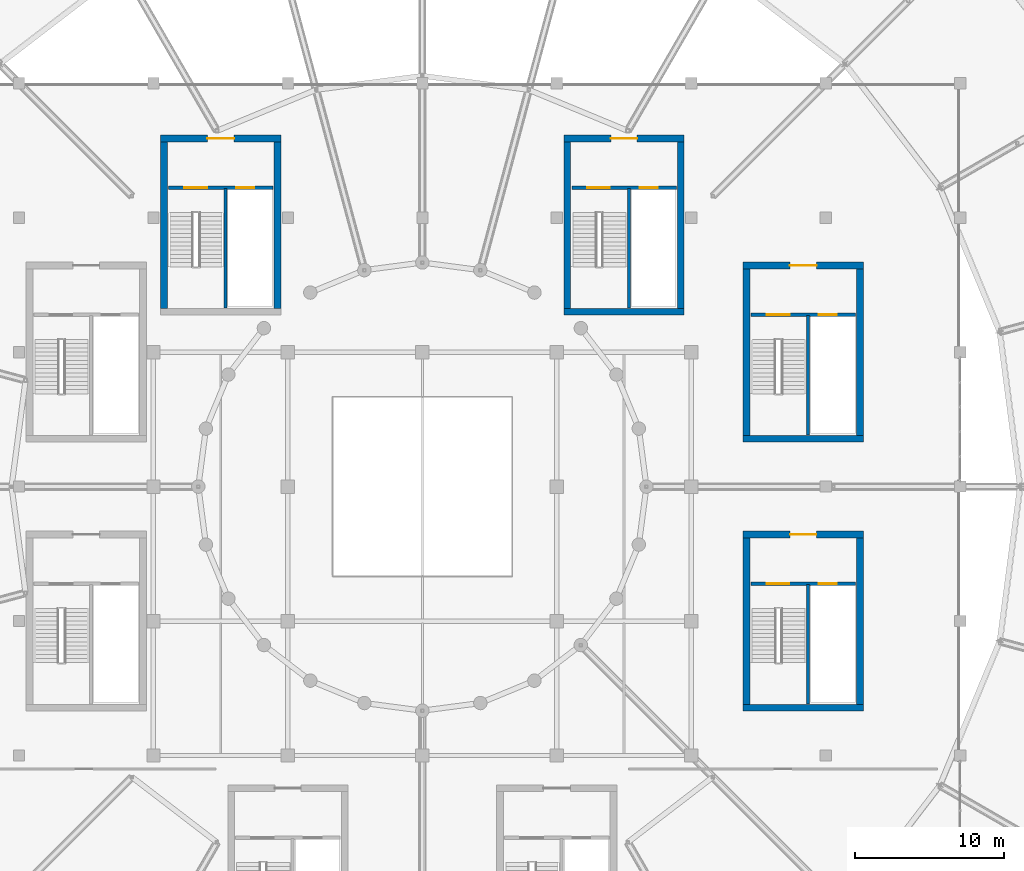
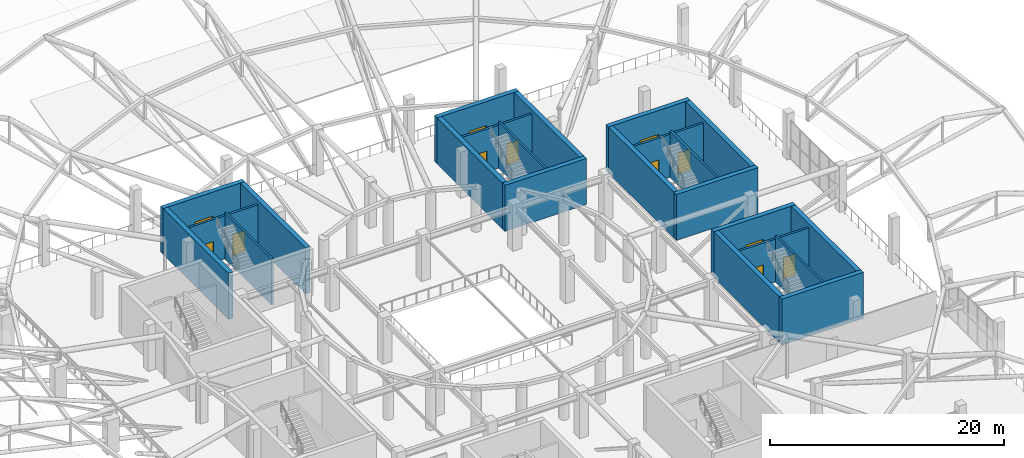
# One storey, part 141 of 167: 23 walls, 12 doors, 12 openings.
"""IFC4 building model written with IfcOpenShell, lengths in metres."""

from ifc_helpers import new_model, si_unit, direction, frame, frame_2d, origin, place, context, subcontext, project, spatial, rectangle, extrude, material, layer, layer_set, type_object, element, fill, save


model = new_model("IFC4")

# Units and contexts
model_context = context("Model", 3, precision=1e-05, world=origin(), true_north=direction((0.0, 1.0)))
body_context = subcontext(model_context, "Body", "Model", "MODEL_VIEW")
ifc_project = project(units=[si_unit("LENGTHUNIT", "METRE"), si_unit("AREAUNIT", "SQUARE_METRE"), si_unit("VOLUMEUNIT", "CUBIC_METRE"), si_unit("PLANEANGLEUNIT", "RADIAN"), si_unit("MASSUNIT", "GRAM", prefix="KILO")], contexts=[model_context])

# Site, building, storey
site_placement = place(None, origin())
site = spatial("IfcSite", under=ifc_project, at=site_placement, CompositionType="ELEMENT")
building_placement = place(site_placement, origin())
building = spatial("IfcBuilding", under=site, at=building_placement, Name="Dornveld Trade and Exhibition Forum", CompositionType="ELEMENT")
storey_placement = place(building_placement, frame((0.0, 0.0, 16.800048828125)))
storey = spatial("IfcBuildingStorey", under=building, at=storey_placement, Name="L03", CompositionType="ELEMENT", Elevation=16.800048828125)

# Wall
ifc_material_1 = material(Name="Concrete C40/50", Category="concrete")
ifc_layer_1 = layer(ifc_material_1, 0.449951171875)
ifc_layer_set_1 = layer_set([ifc_layer_1], Name="Concrete C40/50")
wall_type_1 = type_object("IfcWallType", Name="WL-CORE-450", PredefinedType="SHEAR", material=ifc_layer_set_1)
wall_1_placement = place(storey_placement, frame((138.47509765625, 84.199951171875, 0.0), z_axis=(0.0, 0.0, 1.0), x_axis=(1.0, 0.0, 0.0)))
element("IfcWall", 1, at=wall_1_placement, inside=storey, type_object=wall_type_1, Name="CORE-01 L03 shear wall S", PredefinedType="SHEAR", context=body_context, shape_type="SweptSolid", body=[
    extrude(rectangle(XDim=8.0498046875, YDim=0.449951171875, at=frame_2d((4.02490234375, 0.0))), origin(), (0.0, 0.0, 1.0), 4.800048828125),
])

# Wall, opening, door
wall_2_placement = place(storey_placement, frame((138.47509765625, 95.800048828125, 0.0), z_axis=(0.0, 0.0, 1.0), x_axis=(1.0, 0.0, 0.0)))
wall_2 = element("IfcWall", 2, at=wall_2_placement, inside=storey, type_object=wall_type_1, Name="CORE-01 L03 shear wall N", PredefinedType="SHEAR", context=body_context, shape_type="SweptSolid", body=[
    extrude(rectangle(XDim=8.0498046875, YDim=0.449951171875, at=frame_2d((4.02490234375, 0.0))), origin(), (0.0, 0.0, 1.0), 4.800048828125),
])
opening_1_placement = place(wall_2_placement, frame((3.125, 0.0, 0.0)))
opening_1 = element("IfcOpeningElement", 3, at=opening_1_placement, cuts=wall_2, Name="Opening CD-01-L03", PredefinedType="OPENING", context=body_context, shape_type="SweptSolid", body=[
    extrude(rectangle(XDim=1.800048828125, YDim=2.300048828125, at=frame_2d((0.89990234375, 1.14990234375))), frame((0.0, 0.23486328125, 0.0), z_axis=(0.0, -1.0, 0.0), x_axis=(1.0, 0.0, 0.0)), (0.0, 0.0, 1.0), 0.469970703125),
])
ifc_material_2 = material(Name="Steel fire-rated double door assembly", Category="steel")
door_type_1 = type_object("IfcDoorType", Name="DR-CORE-180x230", OperationType="NOTDEFINED", PredefinedType="DOOR", material=ifc_material_2)
door_1_placement = place(opening_1_placement, origin())
door_1 = element("IfcDoor", 4, at=door_1_placement, inside=storey, type_object=door_type_1, Name="CORE-01 L03 core lobby double fire door", OperationType="DOUBLE_DOOR_SINGLE_SWING", OverallHeight=2.300048828125, OverallWidth=1.800048828125, PredefinedType="DOOR", context=body_context, shape_type="SweptSolid", body=[
    extrude(rectangle(XDim=1.800048828125, YDim=2.300048828125, at=frame_2d((0.89990234375, 1.14990234375))), frame((0.0, 0.02490234375, 0.0), z_axis=(0.0, -1.0, 0.0), x_axis=(1.0, 0.0, 0.0)), (0.0, 0.0, 1.0), 0.050048828125),
])
fill(opening_1, door_1)

# Walls
for number, where, z_axis, x_axis, name in (
    (5, (138.699951171875, 84.425048828125, 0.0), (0.0, 0.0, 1.0), (0.0, 1.0, 0.0), "CORE-01 L03 shear wall W"),
    (6, (146.300048828125, 84.425048828125, 0.0), (0.0, 0.0, 1.0), (0.0, 1.0, 0.0), "CORE-01 L03 shear wall E"),
):
    element("IfcWall", number, at=place(storey_placement, frame(where, z_axis=z_axis, x_axis=x_axis)), inside=storey, type_object=wall_type_1, Name=name, PredefinedType="SHEAR", context=body_context, shape_type="SweptSolid", body=[
        extrude(rectangle(XDim=11.14990234375, YDim=0.449951171875, at=frame_2d((5.574951171875, 0.0))), origin(), (0.0, 0.0, 1.0), 4.800048828125),
    ])
wall_3_placement = place(storey_placement, frame((126.47509765625, 92.699951171875, 0.0), z_axis=(0.0, 0.0, 1.0), x_axis=(1.0, 0.0, 0.0)))
element("IfcWall", 7, at=wall_3_placement, inside=storey, type_object=wall_type_1, Name="CORE-02 L03 shear wall S", PredefinedType="SHEAR", context=body_context, shape_type="SweptSolid", body=[
    extrude(rectangle(XDim=8.0498046875, YDim=0.449951171875, at=frame_2d((4.02490234375, 0.0))), origin(), (0.0, 0.0, 1.0), 4.800048828125),
])

# Wall, opening, door
wall_4_placement = place(storey_placement, frame((126.47509765625, 104.300048828125, 0.0), z_axis=(0.0, 0.0, 1.0), x_axis=(1.0, 0.0, 0.0)))
wall_4 = element("IfcWall", 8, at=wall_4_placement, inside=storey, type_object=wall_type_1, Name="CORE-02 L03 shear wall N", PredefinedType="SHEAR", context=body_context, shape_type="SweptSolid", body=[
    extrude(rectangle(XDim=8.0498046875, YDim=0.449951171875, at=frame_2d((4.02490234375, 0.0))), origin(), (0.0, 0.0, 1.0), 4.800048828125),
])
opening_2_placement = place(wall_4_placement, frame((3.14990234375, 0.0, 0.0)))
opening_2 = element("IfcOpeningElement", 9, at=opening_2_placement, cuts=wall_4, Name="Opening CD-02-L03", PredefinedType="OPENING", context=body_context, shape_type="SweptSolid", body=[
    extrude(rectangle(XDim=1.75, YDim=2.300048828125, at=frame_2d((0.875, 1.14990234375))), frame((0.0, 0.23486328125, 0.0), z_axis=(0.0, -1.0, 0.0), x_axis=(1.0, 0.0, 0.0)), (0.0, 0.0, 1.0), 0.469970703125),
])
ifc_material_3 = material(Name="Steel fire-rated double door assembly", Category="steel")
door_type_2 = type_object("IfcDoorType", Name="DR-CORE-175x230", OperationType="NOTDEFINED", PredefinedType="DOOR", material=ifc_material_3)
door_2_placement = place(opening_2_placement, origin())
door_2 = element("IfcDoor", 10, at=door_2_placement, inside=storey, type_object=door_type_2, Name="CORE-02 L03 core lobby double fire door", OperationType="DOUBLE_DOOR_SINGLE_SWING", OverallHeight=2.300048828125, OverallWidth=1.75, PredefinedType="DOOR", context=body_context, shape_type="SweptSolid", body=[
    extrude(rectangle(XDim=1.75, YDim=2.300048828125, at=frame_2d((0.875, 1.14990234375))), frame((0.0, 0.02490234375, 0.0), z_axis=(0.0, -1.0, 0.0), x_axis=(1.0, 0.0, 0.0)), (0.0, 0.0, 1.0), 0.050048828125),
])
fill(opening_2, door_2)

# Walls
for number, where, z_axis, x_axis, name in (
    (11, (126.699951171875, 92.925048828125, 0.0), (0.0, 0.0, 1.0), (0.0, 1.0, 0.0), "CORE-02 L03 shear wall W"),
    (12, (134.300048828125, 92.925048828125, 0.0), (0.0, 0.0, 1.0), (0.0, 1.0, 0.0), "CORE-02 L03 shear wall E"),
):
    element("IfcWall", number, at=place(storey_placement, frame(where, z_axis=z_axis, x_axis=x_axis)), inside=storey, type_object=wall_type_1, Name=name, PredefinedType="SHEAR", context=body_context, shape_type="SweptSolid", body=[
        extrude(rectangle(XDim=11.14990234375, YDim=0.449951171875, at=frame_2d((5.574951171875, 0.0))), origin(), (0.0, 0.0, 1.0), 4.800048828125),
    ])

# Wall, opening, door
wall_5_placement = place(storey_placement, frame((99.47509765625, 104.300048828125, 0.0), z_axis=(0.0, 0.0, 1.0), x_axis=(1.0, 0.0, 0.0)))
wall_5 = element("IfcWall", 13, at=wall_5_placement, inside=storey, type_object=wall_type_1, Name="CORE-03 L03 shear wall N", PredefinedType="SHEAR", context=body_context, shape_type="SweptSolid", body=[
    extrude(rectangle(XDim=8.0498046875, YDim=0.449951171875, at=frame_2d((4.02490234375, 0.0))), origin(), (0.0, 0.0, 1.0), 4.800048828125),
])
opening_3_placement = place(wall_5_placement, frame((3.125, 0.0, 0.0)))
opening_3 = element("IfcOpeningElement", 14, at=opening_3_placement, cuts=wall_5, Name="Opening CD-03-L03", PredefinedType="OPENING", context=body_context, shape_type="SweptSolid", body=[
    extrude(rectangle(XDim=1.800048828125, YDim=2.300048828125, at=frame_2d((0.89990234375, 1.14990234375))), frame((0.0, 0.23486328125, 0.0), z_axis=(0.0, -1.0, 0.0), x_axis=(1.0, 0.0, 0.0)), (0.0, 0.0, 1.0), 0.469970703125),
])
door_3_placement = place(opening_3_placement, origin())
door_3 = element("IfcDoor", 15, at=door_3_placement, inside=storey, type_object=door_type_1, Name="CORE-03 L03 core lobby double fire door", OperationType="DOUBLE_DOOR_SINGLE_SWING", OverallHeight=2.300048828125, OverallWidth=1.800048828125, PredefinedType="DOOR", context=body_context, shape_type="SweptSolid", body=[
    extrude(rectangle(XDim=1.800048828125, YDim=2.300048828125, at=frame_2d((0.89990234375, 1.14990234375))), frame((0.0, 0.02490234375, 0.0), z_axis=(0.0, -1.0, 0.0), x_axis=(1.0, 0.0, 0.0)), (0.0, 0.0, 1.0), 0.050048828125),
])
fill(opening_3, door_3)

# Walls
for number, where, z_axis, x_axis, name in (
    (16, (99.699951171875, 92.925048828125, 0.0), (0.0, 0.0, 1.0), (0.0, 1.0, 0.0), "CORE-03 L03 shear wall W"),
    (17, (107.300048828125, 92.925048828125, 0.0), (0.0, 0.0, 1.0), (0.0, 1.0, 0.0), "CORE-03 L03 shear wall E"),
):
    element("IfcWall", number, at=place(storey_placement, frame(where, z_axis=z_axis, x_axis=x_axis)), inside=storey, type_object=wall_type_1, Name=name, PredefinedType="SHEAR", context=body_context, shape_type="SweptSolid", body=[
        extrude(rectangle(XDim=11.14990234375, YDim=0.449951171875, at=frame_2d((5.574951171875, 0.0))), origin(), (0.0, 0.0, 1.0), 4.800048828125),
    ])
wall_6_placement = place(storey_placement, frame((138.47509765625, 66.199951171875, 0.0), z_axis=(0.0, 0.0, 1.0), x_axis=(1.0, 0.0, 0.0)))
element("IfcWall", 18, at=wall_6_placement, inside=storey, type_object=wall_type_1, Name="CORE-08 L03 shear wall S", PredefinedType="SHEAR", context=body_context, shape_type="SweptSolid", body=[
    extrude(rectangle(XDim=8.0498046875, YDim=0.449951171875, at=frame_2d((4.02490234375, 0.0))), origin(), (0.0, 0.0, 1.0), 4.800048828125),
])

# Wall, opening, door
wall_7_placement = place(storey_placement, frame((138.47509765625, 77.800048828125, 0.0), z_axis=(0.0, 0.0, 1.0), x_axis=(1.0, 0.0, 0.0)))
wall_7 = element("IfcWall", 19, at=wall_7_placement, inside=storey, type_object=wall_type_1, Name="CORE-08 L03 shear wall N", PredefinedType="SHEAR", context=body_context, shape_type="SweptSolid", body=[
    extrude(rectangle(XDim=8.0498046875, YDim=0.449951171875, at=frame_2d((4.02490234375, 0.0))), origin(), (0.0, 0.0, 1.0), 4.800048828125),
])
opening_4_placement = place(wall_7_placement, frame((3.14990234375, 0.0, 0.0)))
opening_4 = element("IfcOpeningElement", 20, at=opening_4_placement, cuts=wall_7, Name="Opening CD-08-L03", PredefinedType="OPENING", context=body_context, shape_type="SweptSolid", body=[
    extrude(rectangle(XDim=1.75, YDim=2.300048828125, at=frame_2d((0.875, 1.14990234375))), frame((0.0, 0.23486328125, 0.0), z_axis=(0.0, -1.0, 0.0), x_axis=(1.0, 0.0, 0.0)), (0.0, 0.0, 1.0), 0.469970703125),
])
door_4_placement = place(opening_4_placement, origin())
door_4 = element("IfcDoor", 21, at=door_4_placement, inside=storey, type_object=door_type_2, Name="CORE-08 L03 core lobby double fire door", OperationType="DOUBLE_DOOR_SINGLE_SWING", OverallHeight=2.300048828125, OverallWidth=1.75, PredefinedType="DOOR", context=body_context, shape_type="SweptSolid", body=[
    extrude(rectangle(XDim=1.75, YDim=2.300048828125, at=frame_2d((0.875, 1.14990234375))), frame((0.0, 0.02490234375, 0.0), z_axis=(0.0, -1.0, 0.0), x_axis=(1.0, 0.0, 0.0)), (0.0, 0.0, 1.0), 0.050048828125),
])
fill(opening_4, door_4)

# Walls
for number, where, z_axis, x_axis, name in (
    (22, (138.699951171875, 66.425048828125, 0.0), (0.0, 0.0, 1.0), (0.0, 1.0, 0.0), "CORE-08 L03 shear wall W"),
    (23, (146.300048828125, 66.425048828125, 0.0), (0.0, 0.0, 1.0), (0.0, 1.0, 0.0), "CORE-08 L03 shear wall E"),
):
    element("IfcWall", number, at=place(storey_placement, frame(where, z_axis=z_axis, x_axis=x_axis)), inside=storey, type_object=wall_type_1, Name=name, PredefinedType="SHEAR", context=body_context, shape_type="SweptSolid", body=[
        extrude(rectangle(XDim=11.14990234375, YDim=0.449951171875, at=frame_2d((5.574951171875, 0.0))), origin(), (0.0, 0.0, 1.0), 4.800048828125),
    ])

# Wall, openings, doors
ifc_material_4 = material(Name="Concrete C40/50", Category="concrete")
ifc_layer_2 = layer(ifc_material_4, 0.219970703125)
ifc_layer_set_2 = layer_set([ifc_layer_2], Name="Concrete C40/50")
wall_type_2 = type_object("IfcWallType", Name="WL-INT-LOB220", PredefinedType="SOLIDWALL", material=ifc_layer_set_2)
wall_8_placement = place(storey_placement, frame((139.0, 92.5, 0.0), z_axis=(0.0, 0.0, 1.0), x_axis=(1.0, 0.0, 0.0)))
wall_8 = element("IfcWall", 24, at=wall_8_placement, inside=storey, type_object=wall_type_2, Name="CORE-01 L03 protected lobby bulkhead wall", PredefinedType="SOLIDWALL", context=body_context, shape_type="SweptSolid", body=[
    extrude(rectangle(XDim=7.0, YDim=0.219970703125, at=frame_2d((3.5, 0.0))), origin(), (0.0, 0.0, 1.0), 4.489990234375),
])
opening_5_placement = place(wall_8_placement, frame((1.050048828125, 0.0, 0.0)))
opening_5 = element("IfcOpeningElement", 25, at=opening_5_placement, cuts=wall_8, Name="Opening SD-01-L03", PredefinedType="OPENING", context=body_context, shape_type="SweptSolid", body=[
    extrude(rectangle(XDim=1.550048828125, YDim=2.199951171875, at=frame_2d((0.77490234375, 1.10009765625))), frame((0.0, 0.119873046875, 0.0), z_axis=(0.0, -1.0, 0.0), x_axis=(1.0, 0.0, 0.0)), (0.0, 0.0, 1.0), 0.239990234375),
])
opening_6_placement = place(wall_8_placement, frame((4.550048828125, 0.0, 0.0)))
opening_6 = element("IfcOpeningElement", 26, at=opening_6_placement, cuts=wall_8, Name="Opening LD-01-L03", PredefinedType="OPENING", context=body_context, shape_type="SweptSolid", body=[
    extrude(rectangle(XDim=1.199951171875, YDim=2.199951171875, at=frame_2d((0.60009765625, 1.10009765625))), frame((0.0, 0.119873046875, 0.0), z_axis=(0.0, -1.0, 0.0), x_axis=(1.0, 0.0, 0.0)), (0.0, 0.0, 1.0), 0.239990234375),
])
ifc_material_5 = material(Name="Brushed stainless steel sliding lift landing door", Category="steel")
door_type_3 = type_object("IfcDoorType", Name="DR-LIFT-120x220", OperationType="NOTDEFINED", PredefinedType="DOOR", material=ifc_material_5)
door_5_placement = place(opening_6_placement, origin())
door_5 = element("IfcDoor", 27, at=door_5_placement, inside=storey, type_object=door_type_3, Name="CORE-01 L03 lift sliding landing door", OperationType="SLIDING_TO_LEFT", OverallHeight=2.199951171875, OverallWidth=1.199951171875, PredefinedType="DOOR", context=body_context, shape_type="SweptSolid", body=[
    extrude(rectangle(XDim=1.199951171875, YDim=2.199951171875, at=frame_2d((0.60009765625, 1.10009765625))), frame((0.0, 0.02490234375, 0.0), z_axis=(0.0, -1.0, 0.0), x_axis=(1.0, 0.0, 0.0)), (0.0, 0.0, 1.0), 0.050048828125),
])
fill(opening_6, door_5)
ifc_material_6 = material(Name="Steel fire-rated stair door assembly", Category="steel")
door_type_4 = type_object("IfcDoorType", Name="DR-STAIR-155x220", OperationType="NOTDEFINED", PredefinedType="DOOR", material=ifc_material_6)
door_6_placement = place(opening_5_placement, origin())
door_6 = element("IfcDoor", 28, at=door_6_placement, inside=storey, type_object=door_type_4, Name="CORE-01 L03 protected stair door", OperationType="SINGLE_SWING_LEFT", OverallHeight=2.199951171875, OverallWidth=1.550048828125, PredefinedType="DOOR", context=body_context, shape_type="SweptSolid", body=[
    extrude(rectangle(XDim=1.550048828125, YDim=2.199951171875, at=frame_2d((0.77490234375, 1.10009765625))), frame((0.0, 0.02490234375, 0.0), z_axis=(0.0, -1.0, 0.0), x_axis=(1.0, 0.0, 0.0)), (0.0, 0.0, 1.0), 0.050048828125),
])
fill(opening_5, door_6)

wall_9_placement = place(storey_placement, frame((127.0, 101.0, 0.0), z_axis=(0.0, 0.0, 1.0), x_axis=(1.0, 0.0, 0.0)))
wall_9 = element("IfcWall", 29, at=wall_9_placement, inside=storey, type_object=wall_type_2, Name="CORE-02 L03 protected lobby bulkhead wall", PredefinedType="SOLIDWALL", context=body_context, shape_type="SweptSolid", body=[
    extrude(rectangle(XDim=7.0, YDim=0.219970703125, at=frame_2d((3.5, 0.0))), origin(), (0.0, 0.0, 1.0), 4.489990234375),
])
opening_7_placement = place(wall_9_placement, frame((1.050048828125, 0.0, 0.0)))
opening_7 = element("IfcOpeningElement", 30, at=opening_7_placement, cuts=wall_9, Name="Opening SD-02-L03", PredefinedType="OPENING", context=body_context, shape_type="SweptSolid", body=[
    extrude(rectangle(XDim=1.5, YDim=2.199951171875, at=frame_2d((0.75, 1.10009765625))), frame((0.0, 0.119873046875, 0.0), z_axis=(0.0, -1.0, 0.0), x_axis=(1.0, 0.0, 0.0)), (0.0, 0.0, 1.0), 0.239990234375),
])
opening_8_placement = place(wall_9_placement, frame((4.550048828125, 0.0, 0.0)))
opening_8 = element("IfcOpeningElement", 31, at=opening_8_placement, cuts=wall_9, Name="Opening LD-02-L03", PredefinedType="OPENING", context=body_context, shape_type="SweptSolid", body=[
    extrude(rectangle(XDim=1.199951171875, YDim=2.199951171875, at=frame_2d((0.60009765625, 1.10009765625))), frame((0.0, 0.119873046875, 0.0), z_axis=(0.0, -1.0, 0.0), x_axis=(1.0, 0.0, 0.0)), (0.0, 0.0, 1.0), 0.239990234375),
])
door_7_placement = place(opening_8_placement, origin())
door_7 = element("IfcDoor", 32, at=door_7_placement, inside=storey, type_object=door_type_3, Name="CORE-02 L03 lift sliding landing door", OperationType="SLIDING_TO_RIGHT", OverallHeight=2.199951171875, OverallWidth=1.199951171875, PredefinedType="DOOR", context=body_context, shape_type="SweptSolid", body=[
    extrude(rectangle(XDim=1.199951171875, YDim=2.199951171875, at=frame_2d((0.60009765625, 1.10009765625))), frame((0.0, 0.02490234375, 0.0), z_axis=(0.0, -1.0, 0.0), x_axis=(1.0, 0.0, 0.0)), (0.0, 0.0, 1.0), 0.050048828125),
])
fill(opening_8, door_7)
ifc_material_7 = material(Name="Steel fire-rated stair door assembly", Category="steel")
door_type_5 = type_object("IfcDoorType", Name="DR-STAIR-150x220", OperationType="NOTDEFINED", PredefinedType="DOOR", material=ifc_material_7)
door_8_placement = place(opening_7_placement, origin())
door_8 = element("IfcDoor", 33, at=door_8_placement, inside=storey, type_object=door_type_5, Name="CORE-02 L03 protected stair door", OperationType="SINGLE_SWING_RIGHT", OverallHeight=2.199951171875, OverallWidth=1.5, PredefinedType="DOOR", context=body_context, shape_type="SweptSolid", body=[
    extrude(rectangle(XDim=1.5, YDim=2.199951171875, at=frame_2d((0.75, 1.10009765625))), frame((0.0, 0.02490234375, 0.0), z_axis=(0.0, -1.0, 0.0), x_axis=(1.0, 0.0, 0.0)), (0.0, 0.0, 1.0), 0.050048828125),
])
fill(opening_7, door_8)

wall_10_placement = place(storey_placement, frame((100.0, 101.0, 0.0), z_axis=(0.0, 0.0, 1.0), x_axis=(1.0, 0.0, 0.0)))
wall_10 = element("IfcWall", 34, at=wall_10_placement, inside=storey, type_object=wall_type_2, Name="CORE-03 L03 protected lobby bulkhead wall", PredefinedType="SOLIDWALL", context=body_context, shape_type="SweptSolid", body=[
    extrude(rectangle(XDim=7.0, YDim=0.219970703125, at=frame_2d((3.5, 0.0))), origin(), (0.0, 0.0, 1.0), 4.489990234375),
])
opening_9_placement = place(wall_10_placement, frame((1.050048828125, 0.0, 0.0)))
opening_9 = element("IfcOpeningElement", 35, at=opening_9_placement, cuts=wall_10, Name="Opening SD-03-L03", PredefinedType="OPENING", context=body_context, shape_type="SweptSolid", body=[
    extrude(rectangle(XDim=1.550048828125, YDim=2.199951171875, at=frame_2d((0.77490234375, 1.10009765625))), frame((0.0, 0.119873046875, 0.0), z_axis=(0.0, -1.0, 0.0), x_axis=(1.0, 0.0, 0.0)), (0.0, 0.0, 1.0), 0.239990234375),
])
opening_10_placement = place(wall_10_placement, frame((4.550048828125, 0.0, 0.0)))
opening_10 = element("IfcOpeningElement", 36, at=opening_10_placement, cuts=wall_10, Name="Opening LD-03-L03", PredefinedType="OPENING", context=body_context, shape_type="SweptSolid", body=[
    extrude(rectangle(XDim=1.199951171875, YDim=2.199951171875, at=frame_2d((0.60009765625, 1.10009765625))), frame((0.0, 0.119873046875, 0.0), z_axis=(0.0, -1.0, 0.0), x_axis=(1.0, 0.0, 0.0)), (0.0, 0.0, 1.0), 0.239990234375),
])
door_9_placement = place(opening_10_placement, origin())
door_9 = element("IfcDoor", 37, at=door_9_placement, inside=storey, type_object=door_type_3, Name="CORE-03 L03 lift sliding landing door", OperationType="SLIDING_TO_LEFT", OverallHeight=2.199951171875, OverallWidth=1.199951171875, PredefinedType="DOOR", context=body_context, shape_type="SweptSolid", body=[
    extrude(rectangle(XDim=1.199951171875, YDim=2.199951171875, at=frame_2d((0.60009765625, 1.10009765625))), frame((0.0, 0.02490234375, 0.0), z_axis=(0.0, -1.0, 0.0), x_axis=(1.0, 0.0, 0.0)), (0.0, 0.0, 1.0), 0.050048828125),
])
fill(opening_10, door_9)
door_10_placement = place(opening_9_placement, origin())
door_10 = element("IfcDoor", 38, at=door_10_placement, inside=storey, type_object=door_type_4, Name="CORE-03 L03 protected stair door", OperationType="SINGLE_SWING_LEFT", OverallHeight=2.199951171875, OverallWidth=1.550048828125, PredefinedType="DOOR", context=body_context, shape_type="SweptSolid", body=[
    extrude(rectangle(XDim=1.550048828125, YDim=2.199951171875, at=frame_2d((0.77490234375, 1.10009765625))), frame((0.0, 0.02490234375, 0.0), z_axis=(0.0, -1.0, 0.0), x_axis=(1.0, 0.0, 0.0)), (0.0, 0.0, 1.0), 0.050048828125),
])
fill(opening_9, door_10)

wall_11_placement = place(storey_placement, frame((139.0, 74.5, 0.0), z_axis=(0.0, 0.0, 1.0), x_axis=(1.0, 0.0, 0.0)))
wall_11 = element("IfcWall", 39, at=wall_11_placement, inside=storey, type_object=wall_type_2, Name="CORE-08 L03 protected lobby bulkhead wall", PredefinedType="SOLIDWALL", context=body_context, shape_type="SweptSolid", body=[
    extrude(rectangle(XDim=7.0, YDim=0.219970703125, at=frame_2d((3.5, 0.0))), origin(), (0.0, 0.0, 1.0), 4.489990234375),
])
opening_11_placement = place(wall_11_placement, frame((1.050048828125, 0.0, 0.0)))
opening_11 = element("IfcOpeningElement", 40, at=opening_11_placement, cuts=wall_11, Name="Opening SD-08-L03", PredefinedType="OPENING", context=body_context, shape_type="SweptSolid", body=[
    extrude(rectangle(XDim=1.5, YDim=2.199951171875, at=frame_2d((0.75, 1.10009765625))), frame((0.0, 0.119873046875, 0.0), z_axis=(0.0, -1.0, 0.0), x_axis=(1.0, 0.0, 0.0)), (0.0, 0.0, 1.0), 0.239990234375),
])
opening_12_placement = place(wall_11_placement, frame((4.550048828125, 0.0, 0.0)))
opening_12 = element("IfcOpeningElement", 41, at=opening_12_placement, cuts=wall_11, Name="Opening LD-08-L03", PredefinedType="OPENING", context=body_context, shape_type="SweptSolid", body=[
    extrude(rectangle(XDim=1.199951171875, YDim=2.199951171875, at=frame_2d((0.60009765625, 1.10009765625))), frame((0.0, 0.119873046875, 0.0), z_axis=(0.0, -1.0, 0.0), x_axis=(1.0, 0.0, 0.0)), (0.0, 0.0, 1.0), 0.239990234375),
])
door_11_placement = place(opening_12_placement, origin())
door_11 = element("IfcDoor", 42, at=door_11_placement, inside=storey, type_object=door_type_3, Name="CORE-08 L03 lift sliding landing door", OperationType="SLIDING_TO_RIGHT", OverallHeight=2.199951171875, OverallWidth=1.199951171875, PredefinedType="DOOR", context=body_context, shape_type="SweptSolid", body=[
    extrude(rectangle(XDim=1.199951171875, YDim=2.199951171875, at=frame_2d((0.60009765625, 1.10009765625))), frame((0.0, 0.02490234375, 0.0), z_axis=(0.0, -1.0, 0.0), x_axis=(1.0, 0.0, 0.0)), (0.0, 0.0, 1.0), 0.050048828125),
])
fill(opening_12, door_11)
door_12_placement = place(opening_11_placement, origin())
door_12 = element("IfcDoor", 43, at=door_12_placement, inside=storey, type_object=door_type_5, Name="CORE-08 L03 protected stair door", OperationType="SINGLE_SWING_RIGHT", OverallHeight=2.199951171875, OverallWidth=1.5, PredefinedType="DOOR", context=body_context, shape_type="SweptSolid", body=[
    extrude(rectangle(XDim=1.5, YDim=2.199951171875, at=frame_2d((0.75, 1.10009765625))), frame((0.0, 0.02490234375, 0.0), z_axis=(0.0, -1.0, 0.0), x_axis=(1.0, 0.0, 0.0)), (0.0, 0.0, 1.0), 0.050048828125),
])
fill(opening_11, door_12)

# Walls
ifc_material_8 = material(Name="Concrete C40/50", Category="concrete")
ifc_layer_3 = layer(ifc_material_8, 0.199951171875)
ifc_layer_set_3 = layer_set([ifc_layer_3], Name="Concrete C40/50")
wall_type_3 = type_object("IfcWallType", Name="WL-INT-SHAFT200", PredefinedType="SOLIDWALL", material=ifc_layer_set_3)
for number, where, z_axis, x_axis, name in (
    (44, (142.820068359375, 84.449951171875, 0.0), (0.0, 0.0, 1.0), (0.0, 1.0, 0.0), "CORE-01 L03 lift-stair structural shaft wall"),
    (45, (130.820068359375, 92.949951171875, 0.0), (0.0, 0.0, 1.0), (0.0, 1.0, 0.0), "CORE-02 L03 lift-stair structural shaft wall"),
    (46, (103.820068359375, 92.949951171875, 0.0), (0.0, 0.0, 1.0), (0.0, 1.0, 0.0), "CORE-03 L03 lift-stair structural shaft wall"),
    (47, (142.820068359375, 66.449951171875, 0.0), (0.0, 0.0, 1.0), (0.0, 1.0, 0.0), "CORE-08 L03 lift-stair structural shaft wall"),
):
    element("IfcWall", number, at=place(storey_placement, frame(where, z_axis=z_axis, x_axis=x_axis)), inside=storey, type_object=wall_type_3, Name=name, PredefinedType="SOLIDWALL", context=body_context, shape_type="SweptSolid", body=[
        extrude(rectangle(XDim=8.0, YDim=0.199951171875, at=frame_2d((4.0, 0.0))), origin(), (0.0, 0.0, 1.0), 4.800048828125),
    ])

save(model, "model.ifc")
